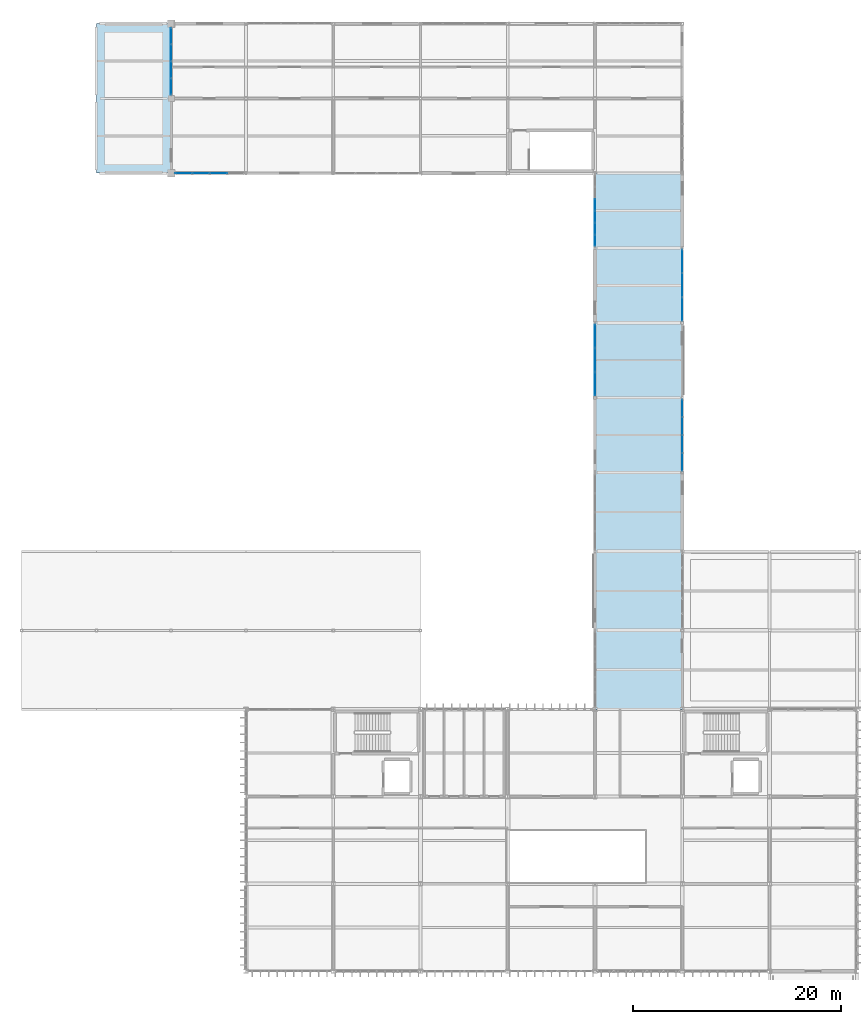
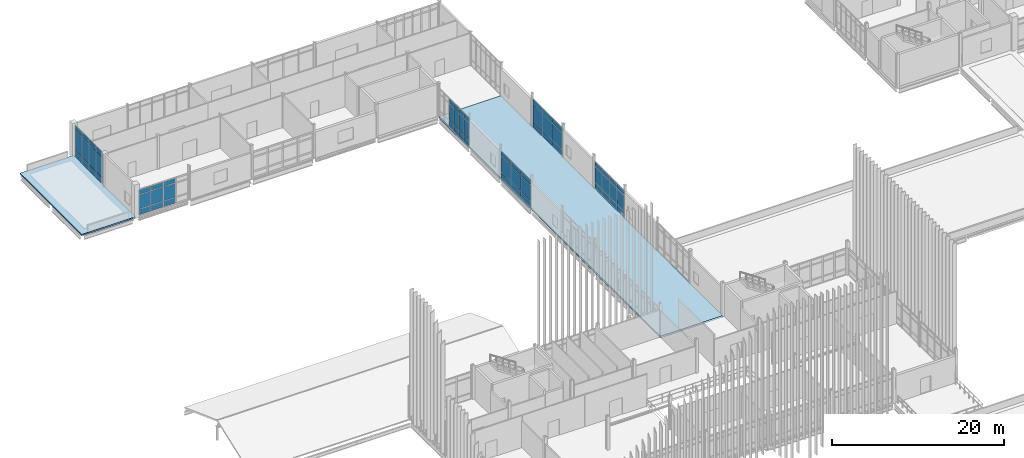
# One storey, part 101 of 153: 63 plates, 2 slabs, 6 elements without a shape of their own.
"""IFC4 building model written with IfcOpenShell, lengths in metres."""

from ifc_helpers import new_model, si_unit, direction, frame, origin, origin_2d, place, context, subcontext, project, spatial, polyline, rectangle, outline, extrude, material, layer, layer_set, type_object, element, aggregate, save


model = new_model("IFC4")

# Units and contexts
model_context = context("Model", 3, precision=1e-05, world=origin(), true_north=direction((0.0, 1.0)))
body_context = subcontext(model_context, "Body", "Model", "MODEL_VIEW")
ifc_project = project(units=[si_unit("LENGTHUNIT", "METRE"), si_unit("AREAUNIT", "SQUARE_METRE"), si_unit("VOLUMEUNIT", "CUBIC_METRE"), si_unit("PLANEANGLEUNIT", "RADIAN"), si_unit("MASSUNIT", "GRAM", prefix="KILO")], contexts=[model_context])

# Site, building, storey
site_placement = place(None, origin())
site = spatial("IfcSite", under=ifc_project, at=site_placement, CompositionType="ELEMENT")
building_placement = place(site_placement, origin())
building = spatial("IfcBuilding", under=site, at=building_placement, Name="Calvrana Isthmian Art Gallery", CompositionType="ELEMENT")
storey_placement = place(building_placement, frame((0.0, 0.0, 10.199951171875)))
storey = spatial("IfcBuildingStorey", under=building, at=storey_placement, Name="L02", CompositionType="ELEMENT", Elevation=10.199951171875)

# Curtain wall, plates
ifc_material_1 = material(Name="Anodized bronze aluminium 6063-T6", Category="aluminium")
ifc_layer_1 = layer(ifc_material_1, 0.179931640625, Name="Anodized bronze aluminium 6063-T6")
ifc_layer_set_1 = layer_set([ifc_layer_1], Name="Anodized bronze aluminium 6063-T6")
curtain_wall_type_1 = type_object("IfcCurtainWallType", Name="CW-STICK-065X46", PredefinedType="NOTDEFINED", material=ifc_layer_set_1)
curtain_wall_1_placement = place(storey_placement, origin())
curtain_wall_1 = element("IfcCurtainWall", 1, at=curtain_wall_1_placement, inside=storey, type_object=curtain_wall_type_1, Name="Curtain wall CW-165", PredefinedType="NOTDEFINED")
ifc_material_2 = material(Name="Polychrome glazed terracotta", Category="masonry")
ifc_layer_2 = layer(ifc_material_2, 0.033935546875, Name="Polychrome glazed terracotta")
ifc_layer_set_2 = layer_set([ifc_layer_2], Name="Polychrome glazed terracotta")
plate_type_1 = type_object("IfcPlateType", Name="CWP-SPANDREL-34", PredefinedType="CURTAIN_PANEL", material=ifc_layer_set_2)
plate_1_placement = place(storey_placement, frame((14.39990234375, 106.736328125, 0.06005859375), z_axis=(0.0, 0.0, 1.0), x_axis=(0.0, 1.0, 0.0)))
plate_1 = element("IfcPlate", 2, at=plate_1_placement, type_object=plate_type_1, Name="CW-165 panel 1.1", PredefinedType="CURTAIN_PANEL", context=body_context, shape_type="SweptSolid", body=[
    extrude(rectangle(XDim=1.532470703125, YDim=0.033935546875, at=origin_2d()), origin(), (0.0, 0.0, 1.0), 0.81005859375),
])
plate_2_placement = place(storey_placement, frame((14.39990234375, 106.736328125, 0.929931640625), z_axis=(0.0, 0.0, 1.0), x_axis=(0.0, 1.0, 0.0)))
plate_2 = element("IfcPlate", 3, at=plate_2_placement, type_object=plate_type_1, Name="CW-165 panel 1.2", PredefinedType="CURTAIN_PANEL", context=body_context, shape_type="SweptSolid", body=[
    extrude(rectangle(XDim=1.532470703125, YDim=0.033935546875, at=origin_2d()), origin(), (0.0, 0.0, 1.0), 2.85009765625),
])
plate_3_placement = place(storey_placement, frame((14.39990234375, 106.736328125, 3.84033203125), z_axis=(0.0, 0.0, 1.0), x_axis=(0.0, 1.0, 0.0)))
plate_3 = element("IfcPlate", 4, at=plate_3_placement, type_object=plate_type_1, Name="CW-165 panel 1.3", PredefinedType="CURTAIN_PANEL", context=body_context, shape_type="SweptSolid", body=[
    extrude(rectangle(XDim=1.532470703125, YDim=0.033935546875, at=origin_2d()), origin(), (0.0, 0.0, 1.0), 0.659912109375),
])
plate_4_placement = place(storey_placement, frame((14.39990234375, 108.356201171875, 0.06005859375), z_axis=(0.0, 0.0, 1.0), x_axis=(0.0, 1.0, 0.0)))
plate_4 = element("IfcPlate", 5, at=plate_4_placement, type_object=plate_type_1, Name="CW-165 panel 2.1", PredefinedType="CURTAIN_PANEL", context=body_context, shape_type="SweptSolid", body=[
    extrude(rectangle(XDim=1.5673828125, YDim=0.033935546875, at=origin_2d()), origin(), (0.0, 0.0, 1.0), 0.81005859375),
])
plate_5_placement = place(storey_placement, frame((14.39990234375, 108.356201171875, 0.929931640625), z_axis=(0.0, 0.0, 1.0), x_axis=(0.0, 1.0, 0.0)))
plate_5 = element("IfcPlate", 6, at=plate_5_placement, type_object=plate_type_1, Name="CW-165 panel 2.2", PredefinedType="CURTAIN_PANEL", context=body_context, shape_type="SweptSolid", body=[
    extrude(rectangle(XDim=1.5673828125, YDim=0.033935546875, at=origin_2d()), origin(), (0.0, 0.0, 1.0), 2.85009765625),
])
plate_6_placement = place(storey_placement, frame((14.39990234375, 108.356201171875, 3.84033203125), z_axis=(0.0, 0.0, 1.0), x_axis=(0.0, 1.0, 0.0)))
plate_6 = element("IfcPlate", 7, at=plate_6_placement, type_object=plate_type_1, Name="CW-165 panel 2.3", PredefinedType="CURTAIN_PANEL", context=body_context, shape_type="SweptSolid", body=[
    extrude(rectangle(XDim=1.5673828125, YDim=0.033935546875, at=origin_2d()), origin(), (0.0, 0.0, 1.0), 0.659912109375),
])
plate_7_placement = place(storey_placement, frame((14.39990234375, 109.99365234375, 0.06005859375), z_axis=(0.0, 0.0, 1.0), x_axis=(0.0, 1.0, 0.0)))
plate_7 = element("IfcPlate", 8, at=plate_7_placement, type_object=plate_type_1, Name="CW-165 panel 3.1", PredefinedType="CURTAIN_PANEL", context=body_context, shape_type="SweptSolid", body=[
    extrude(rectangle(XDim=1.5673828125, YDim=0.033935546875, at=origin_2d()), origin(), (0.0, 0.0, 1.0), 0.81005859375),
])
plate_8_placement = place(storey_placement, frame((14.39990234375, 109.99365234375, 0.929931640625), z_axis=(0.0, 0.0, 1.0), x_axis=(0.0, 1.0, 0.0)))
plate_8 = element("IfcPlate", 9, at=plate_8_placement, type_object=plate_type_1, Name="CW-165 panel 3.2", PredefinedType="CURTAIN_PANEL", context=body_context, shape_type="SweptSolid", body=[
    extrude(rectangle(XDim=1.5673828125, YDim=0.033935546875, at=origin_2d()), origin(), (0.0, 0.0, 1.0), 2.85009765625),
])
plate_9_placement = place(storey_placement, frame((14.39990234375, 109.99365234375, 3.84033203125), z_axis=(0.0, 0.0, 1.0), x_axis=(0.0, 1.0, 0.0)))
plate_9 = element("IfcPlate", 10, at=plate_9_placement, type_object=plate_type_1, Name="CW-165 panel 3.3", PredefinedType="CURTAIN_PANEL", context=body_context, shape_type="SweptSolid", body=[
    extrude(rectangle(XDim=1.5673828125, YDim=0.033935546875, at=origin_2d()), origin(), (0.0, 0.0, 1.0), 0.659912109375),
])
plate_10_placement = place(storey_placement, frame((14.39990234375, 111.61376953125, 0.06005859375), z_axis=(0.0, 0.0, 1.0), x_axis=(0.0, 1.0, 0.0)))
plate_10 = element("IfcPlate", 11, at=plate_10_placement, type_object=plate_type_1, Name="CW-165 panel 4.1", PredefinedType="CURTAIN_PANEL", context=body_context, shape_type="SweptSolid", body=[
    extrude(rectangle(XDim=1.532470703125, YDim=0.033935546875, at=origin_2d()), origin(), (0.0, 0.0, 1.0), 0.81005859375),
])
plate_11_placement = place(storey_placement, frame((14.39990234375, 111.61376953125, 0.929931640625), z_axis=(0.0, 0.0, 1.0), x_axis=(0.0, 1.0, 0.0)))
plate_11 = element("IfcPlate", 12, at=plate_11_placement, type_object=plate_type_1, Name="CW-165 panel 4.2", PredefinedType="CURTAIN_PANEL", context=body_context, shape_type="SweptSolid", body=[
    extrude(rectangle(XDim=1.532470703125, YDim=0.033935546875, at=origin_2d()), origin(), (0.0, 0.0, 1.0), 2.85009765625),
])
plate_12_placement = place(storey_placement, frame((14.39990234375, 111.61376953125, 3.84033203125), z_axis=(0.0, 0.0, 1.0), x_axis=(0.0, 1.0, 0.0)))
plate_12 = element("IfcPlate", 13, at=plate_12_placement, type_object=plate_type_1, Name="CW-165 panel 4.3", PredefinedType="CURTAIN_PANEL", context=body_context, shape_type="SweptSolid", body=[
    extrude(rectangle(XDim=1.532470703125, YDim=0.033935546875, at=origin_2d()), origin(), (0.0, 0.0, 1.0), 0.659912109375),
])
aggregate(curtain_wall_1, [plate_1, plate_2, plate_3, plate_4, plate_5, plate_6, plate_7, plate_8, plate_9, plate_10, plate_11, plate_12])

ifc_layer_3 = layer(ifc_material_1, 0.179931640625, Name="Anodized bronze aluminium 6063-T6")
ifc_layer_set_3 = layer_set([ifc_layer_3], Name="Anodized bronze aluminium 6063-T6")
curtain_wall_type_2 = type_object("IfcCurtainWallType", Name="CW-UNIT-069X41", PredefinedType="USERDEFINED", material=ifc_layer_set_3)
curtain_wall_2_placement = place(storey_placement, origin())
curtain_wall_2 = element("IfcCurtainWall", 14, at=curtain_wall_2_placement, inside=storey, type_object=curtain_wall_type_2, Name="Curtain wall CW-175", ObjectType="UNITISED CURTAIN WALL", PredefinedType="USERDEFINED")
plate_13_placement = place(storey_placement, frame((63.60009765625, 89.92578125, 0.06005859375), z_axis=(0.0, 0.0, 1.0), x_axis=(0.0, -1.0, 0.0)))
plate_13 = element("IfcPlate", 15, at=plate_13_placement, type_object=plate_type_1, Name="CW-175 panel 1.1", PredefinedType="CURTAIN_PANEL", context=body_context, shape_type="SweptSolid", body=[
    extrude(rectangle(XDim=2.225341796875, YDim=0.033935546875, at=origin_2d()), origin(), (0.0, 0.0, 1.0), 0.81005859375),
])
plate_14_placement = place(storey_placement, frame((63.60009765625, 89.92578125, 0.93017578125), z_axis=(0.0, 0.0, 1.0), x_axis=(0.0, -1.0, 0.0)))
plate_14 = element("IfcPlate", 16, at=plate_14_placement, type_object=plate_type_1, Name="CW-175 panel 1.2", PredefinedType="CURTAIN_PANEL", context=body_context, shape_type="SweptSolid", body=[
    extrude(rectangle(XDim=2.225341796875, YDim=0.033935546875, at=origin_2d()), origin(), (0.0, 0.0, 1.0), 2.367919921875),
])
plate_15_placement = place(storey_placement, frame((63.60009765625, 89.92578125, 3.35791015625), z_axis=(0.0, 0.0, 1.0), x_axis=(0.0, -1.0, 0.0)))
plate_15 = element("IfcPlate", 17, at=plate_15_placement, type_object=plate_type_1, Name="CW-175 panel 1.3", PredefinedType="CURTAIN_PANEL", context=body_context, shape_type="SweptSolid", body=[
    extrude(rectangle(XDim=2.225341796875, YDim=0.033935546875, at=origin_2d()), origin(), (0.0, 0.0, 1.0), 0.659912109375),
])
plate_16_placement = place(storey_placement, frame((63.60009765625, 87.62548828125, 0.06005859375), z_axis=(0.0, 0.0, 1.0), x_axis=(0.0, -1.0, 0.0)))
plate_16 = element("IfcPlate", 18, at=plate_16_placement, type_object=plate_type_1, Name="CW-175 panel 2.1", PredefinedType="CURTAIN_PANEL", context=body_context, shape_type="SweptSolid", body=[
    extrude(rectangle(XDim=2.25537109375, YDim=0.033935546875, at=origin_2d()), origin(), (0.0, 0.0, 1.0), 0.81005859375),
])
plate_17_placement = place(storey_placement, frame((63.60009765625, 87.62548828125, 0.93017578125), z_axis=(0.0, 0.0, 1.0), x_axis=(0.0, -1.0, 0.0)))
plate_17 = element("IfcPlate", 19, at=plate_17_placement, type_object=plate_type_1, Name="CW-175 panel 2.2", PredefinedType="CURTAIN_PANEL", context=body_context, shape_type="SweptSolid", body=[
    extrude(rectangle(XDim=2.25537109375, YDim=0.033935546875, at=origin_2d()), origin(), (0.0, 0.0, 1.0), 2.367919921875),
])
plate_18_placement = place(storey_placement, frame((63.60009765625, 87.62548828125, 3.35791015625), z_axis=(0.0, 0.0, 1.0), x_axis=(0.0, -1.0, 0.0)))
plate_18 = element("IfcPlate", 20, at=plate_18_placement, type_object=plate_type_1, Name="CW-175 panel 2.3", PredefinedType="CURTAIN_PANEL", context=body_context, shape_type="SweptSolid", body=[
    extrude(rectangle(XDim=2.25537109375, YDim=0.033935546875, at=origin_2d()), origin(), (0.0, 0.0, 1.0), 0.659912109375),
])
plate_19_placement = place(storey_placement, frame((63.60009765625, 85.324951171875, 0.06005859375), z_axis=(0.0, 0.0, 1.0), x_axis=(0.0, -1.0, 0.0)))
plate_19 = element("IfcPlate", 21, at=plate_19_placement, type_object=plate_type_1, Name="CW-175 panel 3.1", PredefinedType="CURTAIN_PANEL", context=body_context, shape_type="SweptSolid", body=[
    extrude(rectangle(XDim=2.225341796875, YDim=0.033935546875, at=origin_2d()), origin(), (0.0, 0.0, 1.0), 0.81005859375),
])
plate_20_placement = place(storey_placement, frame((63.60009765625, 85.324951171875, 0.93017578125), z_axis=(0.0, 0.0, 1.0), x_axis=(0.0, -1.0, 0.0)))
plate_20 = element("IfcPlate", 22, at=plate_20_placement, type_object=plate_type_1, Name="CW-175 panel 3.2", PredefinedType="CURTAIN_PANEL", context=body_context, shape_type="SweptSolid", body=[
    extrude(rectangle(XDim=2.225341796875, YDim=0.033935546875, at=origin_2d()), origin(), (0.0, 0.0, 1.0), 2.367919921875),
])
plate_21_placement = place(storey_placement, frame((63.60009765625, 85.324951171875, 3.35791015625), z_axis=(0.0, 0.0, 1.0), x_axis=(0.0, -1.0, 0.0)))
plate_21 = element("IfcPlate", 23, at=plate_21_placement, type_object=plate_type_1, Name="CW-175 panel 3.3", PredefinedType="CURTAIN_PANEL", context=body_context, shape_type="SweptSolid", body=[
    extrude(rectangle(XDim=2.225341796875, YDim=0.033935546875, at=origin_2d()), origin(), (0.0, 0.0, 1.0), 0.659912109375),
])
aggregate(curtain_wall_2, [plate_13, plate_14, plate_15, plate_16, plate_17, plate_18, plate_19, plate_20, plate_21])

ifc_layer_4 = layer(ifc_material_1, 0.179931640625, Name="Anodized bronze aluminium 6063-T6")
ifc_layer_set_4 = layer_set([ifc_layer_4], Name="Anodized bronze aluminium 6063-T6")
curtain_wall_type_3 = type_object("IfcCurtainWallType", Name="CW-UNIT-067X37", PredefinedType="USERDEFINED", material=ifc_layer_set_4)
curtain_wall_3_placement = place(storey_placement, origin())
curtain_wall_3 = element("IfcCurtainWall", 24, at=curtain_wall_3_placement, inside=storey, type_object=curtain_wall_type_3, Name="Curtain wall CW-158", ObjectType="UNITISED CURTAIN WALL", PredefinedType="USERDEFINED")
ifc_material_3 = material(Name="Low-E laminated solar glass", Category="glass")
ifc_layer_5 = layer(ifc_material_3, 0.028076171875, Name="Low-E laminated solar glass")
ifc_layer_set_5 = layer_set([ifc_layer_5], Name="Low-E laminated solar glass")
plate_type_2 = type_object("IfcPlateType", Name="CWP-VISION-28", PredefinedType="CURTAIN_PANEL", material=ifc_layer_set_5)
plate_22_placement = place(storey_placement, frame((18.9677734375, 98.39990234375, 0.070068359375), z_axis=(0.0, 0.0, 1.0), x_axis=(-1.0, 0.0, 0.0)))
plate_22 = element("IfcPlate", 25, at=plate_22_placement, type_object=plate_type_2, Name="CW-158 panel 2.1", PredefinedType="CURTAIN_PANEL", context=body_context, shape_type="SweptSolid", body=[
    extrude(rectangle(XDim=1.6220703125, YDim=0.028076171875, at=origin_2d()), origin(), (0.0, 0.0, 1.0), 0.794921875),
])
plate_23_placement = place(storey_placement, frame((18.9677734375, 98.39990234375, 0.93505859375), z_axis=(0.0, 0.0, 1.0), x_axis=(-1.0, 0.0, 0.0)))
plate_23 = element("IfcPlate", 26, at=plate_23_placement, type_object=plate_type_2, Name="CW-158 panel 2.2", PredefinedType="CURTAIN_PANEL", context=body_context, shape_type="SweptSolid", body=[
    extrude(rectangle(XDim=1.6220703125, YDim=0.028076171875, at=origin_2d()), origin(), (0.0, 0.0, 1.0), 1.97509765625),
])
plate_24_placement = place(storey_placement, frame((18.9677734375, 98.39990234375, 2.97998046875), z_axis=(0.0, 0.0, 1.0), x_axis=(-1.0, 0.0, 0.0)))
plate_24 = element("IfcPlate", 27, at=plate_24_placement, type_object=plate_type_2, Name="CW-158 panel 2.3", PredefinedType="CURTAIN_PANEL", context=body_context, shape_type="SweptSolid", body=[
    extrude(rectangle(XDim=1.6220703125, YDim=0.028076171875, at=origin_2d()), origin(), (0.0, 0.0, 1.0), 0.64501953125),
])
plate_25_placement = place(storey_placement, frame((17.28076171875, 98.39990234375, 0.070068359375), z_axis=(0.0, 0.0, 1.0), x_axis=(-1.0, 0.0, 0.0)))
plate_25 = element("IfcPlate", 28, at=plate_25_placement, type_object=plate_type_2, Name="CW-158 panel 3.1", PredefinedType="CURTAIN_PANEL", context=body_context, shape_type="SweptSolid", body=[
    extrude(rectangle(XDim=1.6220703125, YDim=0.028076171875, at=origin_2d()), origin(), (0.0, 0.0, 1.0), 0.794921875),
])
plate_26_placement = place(storey_placement, frame((17.28076171875, 98.39990234375, 0.93505859375), z_axis=(0.0, 0.0, 1.0), x_axis=(-1.0, 0.0, 0.0)))
plate_26 = element("IfcPlate", 29, at=plate_26_placement, type_object=plate_type_2, Name="CW-158 panel 3.2", PredefinedType="CURTAIN_PANEL", context=body_context, shape_type="SweptSolid", body=[
    extrude(rectangle(XDim=1.6220703125, YDim=0.028076171875, at=origin_2d()), origin(), (0.0, 0.0, 1.0), 1.97509765625),
])
plate_27_placement = place(storey_placement, frame((17.28076171875, 98.39990234375, 2.97998046875), z_axis=(0.0, 0.0, 1.0), x_axis=(-1.0, 0.0, 0.0)))
plate_27 = element("IfcPlate", 30, at=plate_27_placement, type_object=plate_type_2, Name="CW-158 panel 3.3", PredefinedType="CURTAIN_PANEL", context=body_context, shape_type="SweptSolid", body=[
    extrude(rectangle(XDim=1.6220703125, YDim=0.028076171875, at=origin_2d()), origin(), (0.0, 0.0, 1.0), 0.64501953125),
])
plate_28_placement = place(storey_placement, frame((15.60986328125, 98.39990234375, 0.070068359375), z_axis=(0.0, 0.0, 1.0), x_axis=(-1.0, 0.0, 0.0)))
plate_28 = element("IfcPlate", 31, at=plate_28_placement, type_object=plate_type_2, Name="CW-158 panel 4.1", PredefinedType="CURTAIN_PANEL", context=body_context, shape_type="SweptSolid", body=[
    extrude(rectangle(XDim=1.589599609375, YDim=0.028076171875, at=origin_2d()), origin(), (0.0, 0.0, 1.0), 0.794921875),
])
plate_29_placement = place(storey_placement, frame((15.60986328125, 98.39990234375, 0.93505859375), z_axis=(0.0, 0.0, 1.0), x_axis=(-1.0, 0.0, 0.0)))
plate_29 = element("IfcPlate", 32, at=plate_29_placement, type_object=plate_type_2, Name="CW-158 panel 4.2", PredefinedType="CURTAIN_PANEL", context=body_context, shape_type="SweptSolid", body=[
    extrude(rectangle(XDim=1.589599609375, YDim=0.028076171875, at=origin_2d()), origin(), (0.0, 0.0, 1.0), 1.97509765625),
])
plate_30_placement = place(storey_placement, frame((15.60986328125, 98.39990234375, 2.97998046875), z_axis=(0.0, 0.0, 1.0), x_axis=(-1.0, 0.0, 0.0)))
plate_30 = element("IfcPlate", 33, at=plate_30_placement, type_object=plate_type_2, Name="CW-158 panel 4.3", PredefinedType="CURTAIN_PANEL", context=body_context, shape_type="SweptSolid", body=[
    extrude(rectangle(XDim=1.589599609375, YDim=0.028076171875, at=origin_2d()), origin(), (0.0, 0.0, 1.0), 0.64501953125),
])
aggregate(curtain_wall_3, [plate_22, plate_23, plate_24, plate_25, plate_26, plate_27, plate_28, plate_29, plate_30])

ifc_layer_6 = layer(ifc_material_1, 0.179931640625, Name="Anodized bronze aluminium 6063-T6")
ifc_layer_set_6 = layer_set([ifc_layer_6], Name="Anodized bronze aluminium 6063-T6")
curtain_wall_type_4 = type_object("IfcCurtainWallType", Name="CW-UNIT-069X39", PredefinedType="USERDEFINED", material=ifc_layer_set_6)
curtain_wall_4_placement = place(storey_placement, origin())
curtain_wall_4 = element("IfcCurtainWall", 34, at=curtain_wall_4_placement, inside=storey, type_object=curtain_wall_type_4, Name="Curtain wall CW-171", ObjectType="UNITISED CURTAIN WALL", PredefinedType="USERDEFINED")
plate_31_placement = place(storey_placement, frame((55.199951171875, 78.127685546875, 0.06005859375), z_axis=(0.0, 0.0, 1.0), x_axis=(0.0, 1.0, 0.0)))
plate_31 = element("IfcPlate", 35, at=plate_31_placement, type_object=plate_type_2, Name="CW-171 panel 1.1", PredefinedType="CURTAIN_PANEL", context=body_context, shape_type="SweptSolid", body=[
    extrude(rectangle(XDim=2.21044921875, YDim=0.028076171875, at=origin_2d()), origin(), (0.0, 0.0, 1.0), 0.81005859375),
])
plate_32_placement = place(storey_placement, frame((55.199951171875, 78.127685546875, 0.93017578125), z_axis=(0.0, 0.0, 1.0), x_axis=(0.0, 1.0, 0.0)))
plate_32 = element("IfcPlate", 36, at=plate_32_placement, type_object=plate_type_2, Name="CW-171 panel 1.2", PredefinedType="CURTAIN_PANEL", context=body_context, shape_type="SweptSolid", body=[
    extrude(rectangle(XDim=2.21044921875, YDim=0.028076171875, at=origin_2d()), origin(), (0.0, 0.0, 1.0), 2.222900390625),
])
plate_33_placement = place(storey_placement, frame((55.199951171875, 78.127685546875, 3.212890625), z_axis=(0.0, 0.0, 1.0), x_axis=(0.0, 1.0, 0.0)))
plate_33 = element("IfcPlate", 37, at=plate_33_placement, type_object=plate_type_2, Name="CW-171 panel 1.3", PredefinedType="CURTAIN_PANEL", context=body_context, shape_type="SweptSolid", body=[
    extrude(rectangle(XDim=2.21044921875, YDim=0.028076171875, at=origin_2d()), origin(), (0.0, 0.0, 1.0), 0.659912109375),
])
plate_34_placement = place(storey_placement, frame((55.199951171875, 80.42529296875, 0.06005859375), z_axis=(0.0, 0.0, 1.0), x_axis=(0.0, 1.0, 0.0)))
plate_34 = element("IfcPlate", 38, at=plate_34_placement, type_object=plate_type_2, Name="CW-171 panel 2.1", PredefinedType="CURTAIN_PANEL", context=body_context, shape_type="SweptSolid", body=[
    extrude(rectangle(XDim=2.245361328125, YDim=0.028076171875, at=origin_2d()), origin(), (0.0, 0.0, 1.0), 0.81005859375),
])
plate_35_placement = place(storey_placement, frame((55.199951171875, 80.42529296875, 0.93017578125), z_axis=(0.0, 0.0, 1.0), x_axis=(0.0, 1.0, 0.0)))
plate_35 = element("IfcPlate", 39, at=plate_35_placement, type_object=plate_type_2, Name="CW-171 panel 2.2", PredefinedType="CURTAIN_PANEL", context=body_context, shape_type="SweptSolid", body=[
    extrude(rectangle(XDim=2.245361328125, YDim=0.028076171875, at=origin_2d()), origin(), (0.0, 0.0, 1.0), 2.222900390625),
])
plate_36_placement = place(storey_placement, frame((55.199951171875, 80.42529296875, 3.212890625), z_axis=(0.0, 0.0, 1.0), x_axis=(0.0, 1.0, 0.0)))
plate_36 = element("IfcPlate", 40, at=plate_36_placement, type_object=plate_type_2, Name="CW-171 panel 2.3", PredefinedType="CURTAIN_PANEL", context=body_context, shape_type="SweptSolid", body=[
    extrude(rectangle(XDim=2.245361328125, YDim=0.028076171875, at=origin_2d()), origin(), (0.0, 0.0, 1.0), 0.659912109375),
])
plate_37_placement = place(storey_placement, frame((55.199951171875, 82.72314453125, 0.06005859375), z_axis=(0.0, 0.0, 1.0), x_axis=(0.0, 1.0, 0.0)))
plate_37 = element("IfcPlate", 41, at=plate_37_placement, type_object=plate_type_2, Name="CW-171 panel 3.1", PredefinedType="CURTAIN_PANEL", context=body_context, shape_type="SweptSolid", body=[
    extrude(rectangle(XDim=2.21044921875, YDim=0.028076171875, at=origin_2d()), origin(), (0.0, 0.0, 1.0), 0.81005859375),
])
plate_38_placement = place(storey_placement, frame((55.199951171875, 82.72314453125, 0.93017578125), z_axis=(0.0, 0.0, 1.0), x_axis=(0.0, 1.0, 0.0)))
plate_38 = element("IfcPlate", 42, at=plate_38_placement, type_object=plate_type_2, Name="CW-171 panel 3.2", PredefinedType="CURTAIN_PANEL", context=body_context, shape_type="SweptSolid", body=[
    extrude(rectangle(XDim=2.21044921875, YDim=0.028076171875, at=origin_2d()), origin(), (0.0, 0.0, 1.0), 2.222900390625),
])
plate_39_placement = place(storey_placement, frame((55.199951171875, 82.72314453125, 3.212890625), z_axis=(0.0, 0.0, 1.0), x_axis=(0.0, 1.0, 0.0)))
plate_39 = element("IfcPlate", 43, at=plate_39_placement, type_object=plate_type_2, Name="CW-171 panel 3.3", PredefinedType="CURTAIN_PANEL", context=body_context, shape_type="SweptSolid", body=[
    extrude(rectangle(XDim=2.21044921875, YDim=0.028076171875, at=origin_2d()), origin(), (0.0, 0.0, 1.0), 0.659912109375),
])
aggregate(curtain_wall_4, [plate_31, plate_32, plate_33, plate_34, plate_35, plate_36, plate_37, plate_38, plate_39])

curtain_wall_5_placement = place(storey_placement, origin())
curtain_wall_5 = element("IfcCurtainWall", 44, at=curtain_wall_5_placement, inside=storey, type_object=curtain_wall_type_2, Name="Curtain wall CW-172", ObjectType="UNITISED CURTAIN WALL", PredefinedType="USERDEFINED")
plate_40_placement = place(storey_placement, frame((55.199951171875, 91.92236328125, 0.06494140625), z_axis=(0.0, 0.0, 1.0), x_axis=(0.0, 1.0, 0.0)))
plate_40 = element("IfcPlate", 45, at=plate_40_placement, type_object=plate_type_2, Name="CW-172 panel 1.1", PredefinedType="CURTAIN_PANEL", context=body_context, shape_type="SweptSolid", body=[
    extrude(rectangle(XDim=1.041015625, YDim=0.028076171875, at=origin_2d()), origin(), (0.0, 0.0, 1.0), 0.802490234375),
])
plate_41_placement = place(storey_placement, frame((55.199951171875, 91.92236328125, 0.9326171875), z_axis=(0.0, 0.0, 1.0), x_axis=(0.0, 1.0, 0.0)))
plate_41 = element("IfcPlate", 46, at=plate_41_placement, type_object=plate_type_2, Name="CW-172 panel 1.2", PredefinedType="CURTAIN_PANEL", context=body_context, shape_type="SweptSolid", body=[
    extrude(rectangle(XDim=1.041015625, YDim=0.028076171875, at=origin_2d()), origin(), (0.0, 0.0, 1.0), 2.363037109375),
])
plate_42_placement = place(storey_placement, frame((55.199951171875, 91.92236328125, 3.3603515625), z_axis=(0.0, 0.0, 1.0), x_axis=(0.0, 1.0, 0.0)))
plate_42 = element("IfcPlate", 47, at=plate_42_placement, type_object=plate_type_2, Name="CW-172 panel 1.3", PredefinedType="CURTAIN_PANEL", context=body_context, shape_type="SweptSolid", body=[
    extrude(rectangle(XDim=1.041015625, YDim=0.028076171875, at=origin_2d()), origin(), (0.0, 0.0, 1.0), 0.652587890625),
])
plate_43_placement = place(storey_placement, frame((55.199951171875, 93.05712890625, 0.06494140625), z_axis=(0.0, 0.0, 1.0), x_axis=(0.0, 1.0, 0.0)))
plate_43 = element("IfcPlate", 48, at=plate_43_placement, type_object=plate_type_2, Name="CW-172 panel 2.1", PredefinedType="CURTAIN_PANEL", context=body_context, shape_type="SweptSolid", body=[
    extrude(rectangle(XDim=1.078369140625, YDim=0.028076171875, at=origin_2d()), origin(), (0.0, 0.0, 1.0), 0.802490234375),
])
plate_44_placement = place(storey_placement, frame((55.199951171875, 93.05712890625, 0.9326171875), z_axis=(0.0, 0.0, 1.0), x_axis=(0.0, 1.0, 0.0)))
plate_44 = element("IfcPlate", 49, at=plate_44_placement, type_object=plate_type_2, Name="CW-172 panel 2.2", PredefinedType="CURTAIN_PANEL", context=body_context, shape_type="SweptSolid", body=[
    extrude(rectangle(XDim=1.078369140625, YDim=0.028076171875, at=origin_2d()), origin(), (0.0, 0.0, 1.0), 2.363037109375),
])
plate_45_placement = place(storey_placement, frame((55.199951171875, 93.05712890625, 3.3603515625), z_axis=(0.0, 0.0, 1.0), x_axis=(0.0, 1.0, 0.0)))
plate_45 = element("IfcPlate", 50, at=plate_45_placement, type_object=plate_type_2, Name="CW-172 panel 2.3", PredefinedType="CURTAIN_PANEL", context=body_context, shape_type="SweptSolid", body=[
    extrude(rectangle(XDim=1.078369140625, YDim=0.028076171875, at=origin_2d()), origin(), (0.0, 0.0, 1.0), 0.652587890625),
])
plate_46_placement = place(storey_placement, frame((55.199951171875, 94.210693359375, 0.06494140625), z_axis=(0.0, 0.0, 1.0), x_axis=(0.0, 1.0, 0.0)))
plate_46 = element("IfcPlate", 51, at=plate_46_placement, type_object=plate_type_2, Name="CW-172 panel 3.1", PredefinedType="CURTAIN_PANEL", context=body_context, shape_type="SweptSolid", body=[
    extrude(rectangle(XDim=1.078369140625, YDim=0.028076171875, at=origin_2d()), origin(), (0.0, 0.0, 1.0), 0.802490234375),
])
plate_47_placement = place(storey_placement, frame((55.199951171875, 94.210693359375, 0.9326171875), z_axis=(0.0, 0.0, 1.0), x_axis=(0.0, 1.0, 0.0)))
plate_47 = element("IfcPlate", 52, at=plate_47_placement, type_object=plate_type_2, Name="CW-172 panel 3.2", PredefinedType="CURTAIN_PANEL", context=body_context, shape_type="SweptSolid", body=[
    extrude(rectangle(XDim=1.078369140625, YDim=0.028076171875, at=origin_2d()), origin(), (0.0, 0.0, 1.0), 2.363037109375),
])
plate_48_placement = place(storey_placement, frame((55.199951171875, 94.210693359375, 3.3603515625), z_axis=(0.0, 0.0, 1.0), x_axis=(0.0, 1.0, 0.0)))
plate_48 = element("IfcPlate", 53, at=plate_48_placement, type_object=plate_type_2, Name="CW-172 panel 3.3", PredefinedType="CURTAIN_PANEL", context=body_context, shape_type="SweptSolid", body=[
    extrude(rectangle(XDim=1.078369140625, YDim=0.028076171875, at=origin_2d()), origin(), (0.0, 0.0, 1.0), 0.652587890625),
])
plate_49_placement = place(storey_placement, frame((55.199951171875, 95.364013671875, 0.06494140625), z_axis=(0.0, 0.0, 1.0), x_axis=(0.0, 1.0, 0.0)))
plate_49 = element("IfcPlate", 54, at=plate_49_placement, type_object=plate_type_2, Name="CW-172 panel 4.1", PredefinedType="CURTAIN_PANEL", context=body_context, shape_type="SweptSolid", body=[
    extrude(rectangle(XDim=1.078369140625, YDim=0.028076171875, at=origin_2d()), origin(), (0.0, 0.0, 1.0), 0.802490234375),
])
plate_50_placement = place(storey_placement, frame((55.199951171875, 95.364013671875, 0.9326171875), z_axis=(0.0, 0.0, 1.0), x_axis=(0.0, 1.0, 0.0)))
plate_50 = element("IfcPlate", 55, at=plate_50_placement, type_object=plate_type_2, Name="CW-172 panel 4.2", PredefinedType="CURTAIN_PANEL", context=body_context, shape_type="SweptSolid", body=[
    extrude(rectangle(XDim=1.078369140625, YDim=0.028076171875, at=origin_2d()), origin(), (0.0, 0.0, 1.0), 2.363037109375),
])
plate_51_placement = place(storey_placement, frame((55.199951171875, 95.364013671875, 3.3603515625), z_axis=(0.0, 0.0, 1.0), x_axis=(0.0, 1.0, 0.0)))
plate_51 = element("IfcPlate", 56, at=plate_51_placement, type_object=plate_type_2, Name="CW-172 panel 4.3", PredefinedType="CURTAIN_PANEL", context=body_context, shape_type="SweptSolid", body=[
    extrude(rectangle(XDim=1.078369140625, YDim=0.028076171875, at=origin_2d()), origin(), (0.0, 0.0, 1.0), 0.652587890625),
])
aggregate(curtain_wall_5, [plate_40, plate_41, plate_42, plate_43, plate_44, plate_45, plate_46, plate_47, plate_48, plate_49, plate_50, plate_51])

curtain_wall_6_placement = place(storey_placement, origin())
curtain_wall_6 = element("IfcCurtainWall", 57, at=curtain_wall_6_placement, inside=storey, type_object=curtain_wall_type_4, Name="Curtain wall CW-174", ObjectType="UNITISED CURTAIN WALL", PredefinedType="USERDEFINED")
plate_52_placement = place(storey_placement, frame((63.60009765625, 75.767578125, 0.074951171875), z_axis=(0.0, 0.0, 1.0), x_axis=(0.0, -1.0, 0.0)))
plate_52 = element("IfcPlate", 58, at=plate_52_placement, type_object=plate_type_2, Name="CW-174 panel 1.1", PredefinedType="CURTAIN_PANEL", context=body_context, shape_type="SweptSolid", body=[
    extrude(rectangle(XDim=1.64013671875, YDim=0.028076171875, at=origin_2d()), origin(), (0.0, 0.0, 1.0), 0.78759765625),
])
plate_53_placement = place(storey_placement, frame((63.60009765625, 75.767578125, 0.9375), z_axis=(0.0, 0.0, 1.0), x_axis=(0.0, -1.0, 0.0)))
plate_53 = element("IfcPlate", 59, at=plate_53_placement, type_object=plate_type_2, Name="CW-174 panel 1.2", PredefinedType="CURTAIN_PANEL", context=body_context, shape_type="SweptSolid", body=[
    extrude(rectangle(XDim=1.64013671875, YDim=0.028076171875, at=origin_2d()), origin(), (0.0, 0.0, 1.0), 2.2080078125),
])
plate_54_placement = place(storey_placement, frame((63.60009765625, 75.767578125, 3.220703125), z_axis=(0.0, 0.0, 1.0), x_axis=(0.0, -1.0, 0.0)))
plate_54 = element("IfcPlate", 60, at=plate_54_placement, type_object=plate_type_2, Name="CW-174 panel 1.3", PredefinedType="CURTAIN_PANEL", context=body_context, shape_type="SweptSolid", body=[
    extrude(rectangle(XDim=1.64013671875, YDim=0.028076171875, at=origin_2d()), origin(), (0.0, 0.0, 1.0), 0.637451171875),
])
plate_55_placement = place(storey_placement, frame((63.60009765625, 74.052490234375, 0.074951171875), z_axis=(0.0, 0.0, 1.0), x_axis=(0.0, -1.0, 0.0)))
plate_55 = element("IfcPlate", 61, at=plate_55_placement, type_object=plate_type_2, Name="CW-174 panel 2.1", PredefinedType="CURTAIN_PANEL", context=body_context, shape_type="SweptSolid", body=[
    extrude(rectangle(XDim=1.670166015625, YDim=0.028076171875, at=origin_2d()), origin(), (0.0, 0.0, 1.0), 0.78759765625),
])
plate_56_placement = place(storey_placement, frame((63.60009765625, 74.052490234375, 0.9375), z_axis=(0.0, 0.0, 1.0), x_axis=(0.0, -1.0, 0.0)))
plate_56 = element("IfcPlate", 62, at=plate_56_placement, type_object=plate_type_2, Name="CW-174 panel 2.2", PredefinedType="CURTAIN_PANEL", context=body_context, shape_type="SweptSolid", body=[
    extrude(rectangle(XDim=1.670166015625, YDim=0.028076171875, at=origin_2d()), origin(), (0.0, 0.0, 1.0), 2.2080078125),
])
plate_57_placement = place(storey_placement, frame((63.60009765625, 74.052490234375, 3.220703125), z_axis=(0.0, 0.0, 1.0), x_axis=(0.0, -1.0, 0.0)))
plate_57 = element("IfcPlate", 63, at=plate_57_placement, type_object=plate_type_2, Name="CW-174 panel 2.3", PredefinedType="CURTAIN_PANEL", context=body_context, shape_type="SweptSolid", body=[
    extrude(rectangle(XDim=1.670166015625, YDim=0.028076171875, at=origin_2d()), origin(), (0.0, 0.0, 1.0), 0.637451171875),
])
plate_58_placement = place(storey_placement, frame((63.60009765625, 72.322265625, 0.074951171875), z_axis=(0.0, 0.0, 1.0), x_axis=(0.0, -1.0, 0.0)))
plate_58 = element("IfcPlate", 64, at=plate_58_placement, type_object=plate_type_2, Name="CW-174 panel 3.1", PredefinedType="CURTAIN_PANEL", context=body_context, shape_type="SweptSolid", body=[
    extrude(rectangle(XDim=1.670166015625, YDim=0.028076171875, at=origin_2d()), origin(), (0.0, 0.0, 1.0), 0.78759765625),
])
plate_59_placement = place(storey_placement, frame((63.60009765625, 72.322265625, 0.9375), z_axis=(0.0, 0.0, 1.0), x_axis=(0.0, -1.0, 0.0)))
plate_59 = element("IfcPlate", 65, at=plate_59_placement, type_object=plate_type_2, Name="CW-174 panel 3.2", PredefinedType="CURTAIN_PANEL", context=body_context, shape_type="SweptSolid", body=[
    extrude(rectangle(XDim=1.670166015625, YDim=0.028076171875, at=origin_2d()), origin(), (0.0, 0.0, 1.0), 2.2080078125),
])
plate_60_placement = place(storey_placement, frame((63.60009765625, 72.322265625, 3.220703125), z_axis=(0.0, 0.0, 1.0), x_axis=(0.0, -1.0, 0.0)))
plate_60 = element("IfcPlate", 66, at=plate_60_placement, type_object=plate_type_2, Name="CW-174 panel 3.3", PredefinedType="CURTAIN_PANEL", context=body_context, shape_type="SweptSolid", body=[
    extrude(rectangle(XDim=1.670166015625, YDim=0.028076171875, at=origin_2d()), origin(), (0.0, 0.0, 1.0), 0.637451171875),
])
plate_61_placement = place(storey_placement, frame((63.60009765625, 70.607177734375, 0.074951171875), z_axis=(0.0, 0.0, 1.0), x_axis=(0.0, -1.0, 0.0)))
plate_61 = element("IfcPlate", 67, at=plate_61_placement, type_object=plate_type_2, Name="CW-174 panel 4.1", PredefinedType="CURTAIN_PANEL", context=body_context, shape_type="SweptSolid", body=[
    extrude(rectangle(XDim=1.64013671875, YDim=0.028076171875, at=origin_2d()), origin(), (0.0, 0.0, 1.0), 0.78759765625),
])
plate_62_placement = place(storey_placement, frame((63.60009765625, 70.607177734375, 0.9375), z_axis=(0.0, 0.0, 1.0), x_axis=(0.0, -1.0, 0.0)))
plate_62 = element("IfcPlate", 68, at=plate_62_placement, type_object=plate_type_2, Name="CW-174 panel 4.2", PredefinedType="CURTAIN_PANEL", context=body_context, shape_type="SweptSolid", body=[
    extrude(rectangle(XDim=1.64013671875, YDim=0.028076171875, at=origin_2d()), origin(), (0.0, 0.0, 1.0), 2.2080078125),
])
plate_63_placement = place(storey_placement, frame((63.60009765625, 70.607177734375, 3.220703125), z_axis=(0.0, 0.0, 1.0), x_axis=(0.0, -1.0, 0.0)))
plate_63 = element("IfcPlate", 69, at=plate_63_placement, type_object=plate_type_2, Name="CW-174 panel 4.3", PredefinedType="CURTAIN_PANEL", context=body_context, shape_type="SweptSolid", body=[
    extrude(rectangle(XDim=1.64013671875, YDim=0.028076171875, at=origin_2d()), origin(), (0.0, 0.0, 1.0), 0.637451171875),
])
aggregate(curtain_wall_6, [plate_52, plate_53, plate_54, plate_55, plate_56, plate_57, plate_58, plate_59, plate_60, plate_61, plate_62, plate_63])

# Slabs
ifc_material_4 = material(Name="Concrete C40/50", Category="concrete")
ifc_layer_7 = layer(ifc_material_4, 0.239990234375, Name="Concrete C40/50")
ifc_layer_set_7 = layer_set([ifc_layer_7], Name="Concrete C40/50")
slab_type_1 = type_object("IfcSlabType", Name="SLB-FLR-240", PredefinedType="FLOOR", material=ifc_layer_set_7)
slab_1_placement = place(storey_placement, frame((0.0, 0.0, -0.239990234375)))
element("IfcSlab", 70, at=slab_1_placement, inside=storey, type_object=slab_type_1, Name="Floor slab V6L_L02", PredefinedType="FLOOR", context=body_context, shape_type="SweptSolid", body=[
    extrude(outline(polyline([(55.199951171875, 46.800048828125), (63.60009765625, 46.800048828125), (63.60009765625, 98.39990234375), (55.199951171875, 98.39990234375), (55.199951171875, 46.800048828125)])), origin(), (0.0, 0.0, 1.0), 0.239990234375),
])
ifc_layer_8 = layer(ifc_material_4, 0.199951171875, Name="Concrete C40/50")
ifc_layer_set_8 = layer_set([ifc_layer_8], Name="Concrete C40/50")
slab_type_2 = type_object("IfcSlabType", Name="SLB-ROOF-200", PredefinedType="ROOF", material=ifc_layer_set_8)
slab_2_placement = place(storey_placement, frame((0.0, 0.0, -0.199951171875)))
element("IfcSlab", 71, at=slab_2_placement, inside=storey, type_object=slab_type_2, Name="Flat roof slab ROOF_V6W_L02", PredefinedType="ROOF", context=body_context, shape_type="SweptSolid", body=[
    extrude(outline(polyline([(7.199951171875, 98.39990234375), (14.39990234375, 98.39990234375), (14.39990234375, 112.800048828125), (7.199951171875, 112.800048828125), (7.199951171875, 98.39990234375)])), origin(), (0.0, 0.0, 1.0), 0.199951171875),
])

save(model, "model.ifc")
